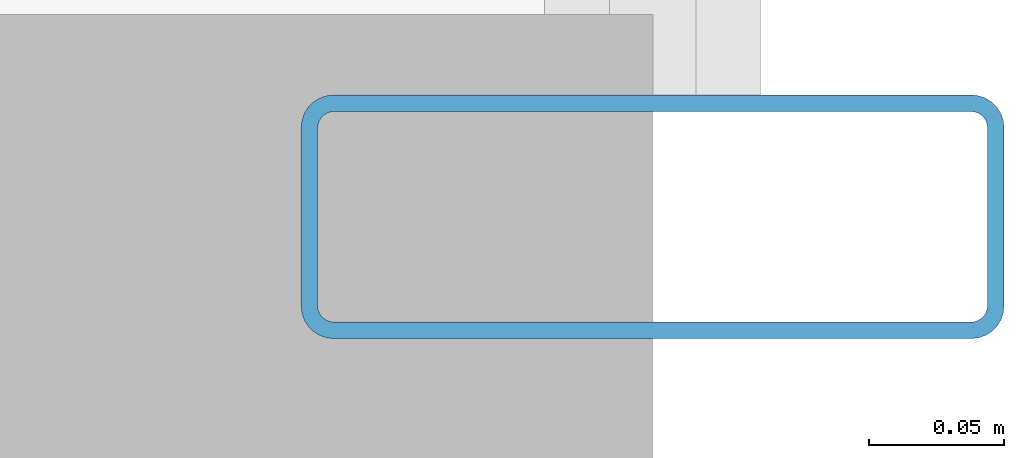
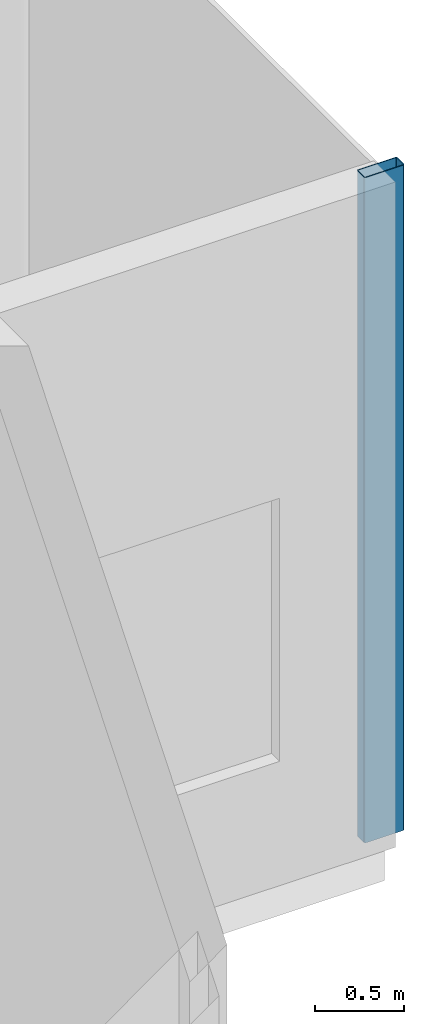
# One storey, part 16 of 27: 1 member, 1 element without a shape of its own.
"""IFC4 building model written with IfcOpenShell, lengths in metres."""

from ifc_helpers import new_model, si_unit, direction, frame, origin, origin_2d, place, context, subcontext, project, spatial, hollow_rectangle, extrude, source, transform, mapped, material, layer, layer_set, material_profile, profile_set, type_object, element, aggregate, save


model = new_model("IFC4")

# Units and contexts
model_context = context("Model", 3, precision=1e-05, world=origin(), true_north=direction((0.0, 1.0)))
body_context = subcontext(model_context, "Body", "Model", "MODEL_VIEW")
ifc_project = project(units=[si_unit("LENGTHUNIT", "METRE"), si_unit("AREAUNIT", "SQUARE_METRE"), si_unit("VOLUMEUNIT", "CUBIC_METRE"), si_unit("PLANEANGLEUNIT", "RADIAN"), si_unit("MASSUNIT", "GRAM", prefix="KILO")], contexts=[model_context])

# Site, building, storey
site_placement = place(None, origin())
site = spatial("IfcSite", under=ifc_project, at=site_placement, CompositionType="ELEMENT")
building_placement = place(site_placement, origin())
building = spatial("IfcBuilding", under=site, at=building_placement, Name="Nefas-Gora Pilgrimage Tower", CompositionType="ELEMENT")
storey_placement = place(building_placement, frame((0.0, 0.0, 144.0)))
storey = spatial("IfcBuildingStorey", under=building, at=storey_placement, Name="L35", CompositionType="ELEMENT", Elevation=144.0)

# Curtain wall, member
ifc_material_1 = material(Name="Dark ceramic-fritted solar-control aluminium-glass curtain wall", Category="aluminium")
ifc_layer = layer(ifc_material_1, 0.219970703125)
ifc_layer_set = layer_set([ifc_layer], Name="Dark ceramic-fritted solar-control aluminium-glass curtain wall")
curtain_wall_type = type_object("IfcCurtainWallType", Name="CW-SYS-2", PredefinedType="NOTDEFINED", material=ifc_layer_set)
curtain_wall_placement = place(storey_placement, origin())
curtain_wall = element("IfcCurtainWall", 1, at=curtain_wall_placement, inside=storey, type_object=curtain_wall_type, Name="L35 Unitised Curtain Wall CW2", PredefinedType="NOTDEFINED")
ifc_material_2 = material(Name="Anodised architectural aluminium", Category="aluminium")
ifc_material_profile = material_profile(ifc_material_2, hollow_rectangle(XDim=0.090087890625, YDim=0.260009765625, WallThickness=0.006103515625, InnerFilletRadius=0.006103515625, OuterFilletRadius=0.011962890625, at=origin_2d()), Name="ALU MULLION 90x260")
ifc_profile_set = profile_set([ifc_material_profile], Name="Anodised architectural aluminium")
member_type = type_object("IfcMemberType", Name="CWM-MUL-2", PredefinedType="MULLION", material=ifc_profile_set)
shared_shape = source(origin(), body_context, "Body", "SweptSolid", [
    extrude(hollow_rectangle(XDim=0.090087890625, YDim=0.260009765625, WallThickness=0.006103515625, InnerFilletRadius=0.006103515625, OuterFilletRadius=0.011962890625, at=origin_2d()), origin(), (0.0, 0.0, 1.0), 4.550048828125),
])
member_placement = place(storey_placement, frame((34.27001953125, -17.574951171875, 0.0), z_axis=(0.0, 0.0, 1.0), x_axis=(0.0, 1.0, 0.0)))
member = element("IfcMember", 2, at=member_placement, type_object=member_type, Name="CW2 Mullion 1", PredefinedType="MULLION", context=body_context, shape_type="MappedRepresentation", body=[
    mapped(shared_shape, transform((0.0, 0.0, 0.0), x_axis=(1.0, 0.0, 0.0), y_axis=(0.0, 1.0, 0.0), z_axis=(0.0, 0.0, 1.0), scale=1.0)),
])
aggregate(curtain_wall, [member])

save(model, "model.ifc")
